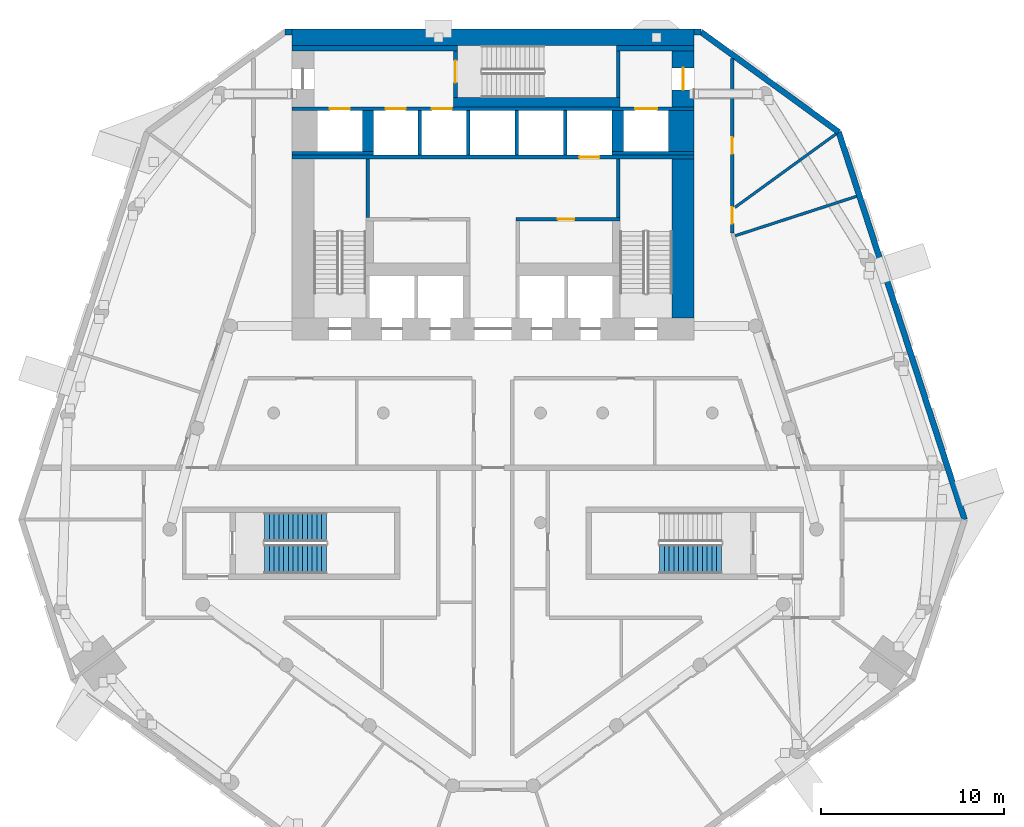
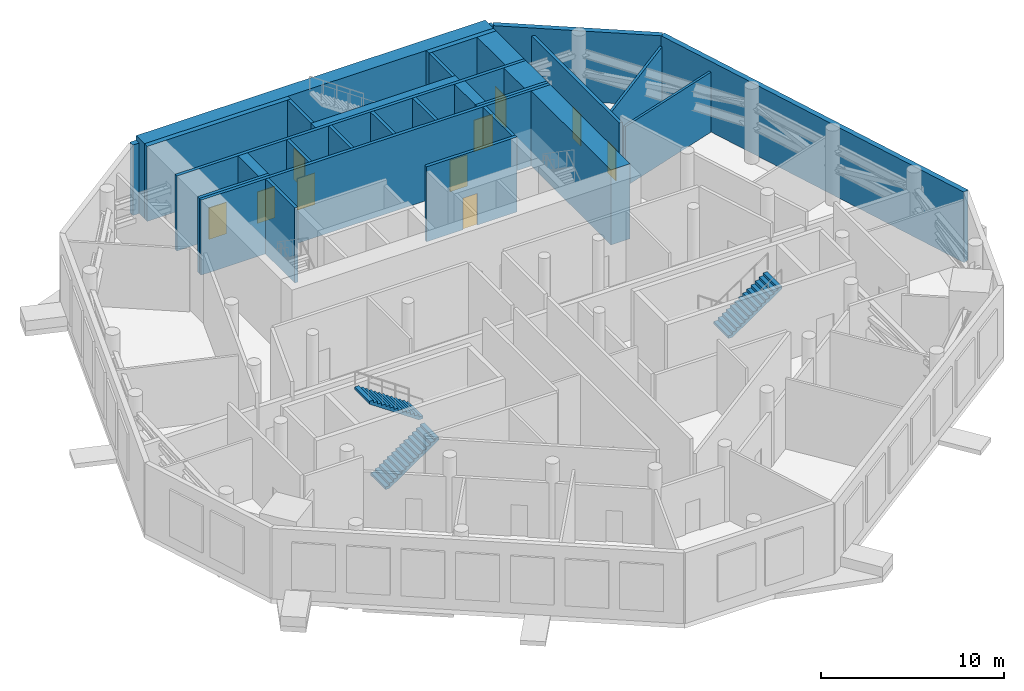
# One storey, part 9 of 15: 29 walls, 10 doors, 3 stair flights, 10 openings, 2 elements without a shape of their own.
"""IFC4 building model written with IfcOpenShell, lengths in metres."""

from ifc_helpers import new_model, si_unit, direction, frame, frame_2d, origin, place, context, subcontext, project, spatial, polyline, rectangle, outline, extrude, material, layer, layer_set, type_object, element, fill, aggregate, save


model = new_model("IFC4")

# Units and contexts
model_context = context("Model", 3, precision=1e-05, world=origin(), true_north=direction((0.0, 1.0)))
body_context = subcontext(model_context, "Body", "Model", "MODEL_VIEW")
ifc_project = project(units=[si_unit("LENGTHUNIT", "METRE"), si_unit("AREAUNIT", "SQUARE_METRE"), si_unit("VOLUMEUNIT", "CUBIC_METRE"), si_unit("PLANEANGLEUNIT", "RADIAN"), si_unit("MASSUNIT", "GRAM", prefix="KILO")], contexts=[model_context])

# Site, building, storey
site_placement = place(None, origin())
site = spatial("IfcSite", under=ifc_project, at=site_placement, CompositionType="ELEMENT")
building_placement = place(site_placement, origin())
building = spatial("IfcBuilding", under=site, at=building_placement, Name="White Candle Pilgrim Tower", CompositionType="ELEMENT")
storey_placement = place(building_placement, frame((0.0, 0.0, 85.800048828125)))
storey = spatial("IfcBuildingStorey", under=building, at=storey_placement, Name="L18", CompositionType="ELEMENT", Elevation=85.800048828125)

# Wall, opening, door
ifc_material_1 = material(Name="Concrete C70/85", Category="concrete")
ifc_layer_1 = layer(ifc_material_1, 1.199951171875)
ifc_layer_set_1 = layer_set([ifc_layer_1], Name="Core wall 1200 mm Concrete C70/85")
wall_type_1 = type_object("IfcWallType", Name="Core wall 1200 mm Concrete C70/85", PredefinedType="SHEAR", material=ifc_layer_set_1)
wall_1_placement = place(storey_placement, frame((80.39990234375, 83.75, 0.0), z_axis=(0.0, 0.0, 1.0), x_axis=(0.0, 1.0, 0.0)))
wall_1 = element("IfcWall", 1, at=wall_1_placement, inside=storey, type_object=wall_type_1, Name="WL-L18-C44", PredefinedType="SHEAR", context=body_context, shape_type="SweptSolid", body=[
    extrude(rectangle(XDim=3.050048828125, YDim=1.199951171875, at=frame_2d((1.52490234375, 0.0))), origin(), (0.0, 0.0, 1.0), 5.0),
])
opening_1_placement = place(wall_1_placement, frame((0.925048828125, 0.0, 0.0)))
opening_1 = element("IfcOpeningElement", 2, at=opening_1_placement, cuts=wall_1, Name="Opening L18-006", PredefinedType="OPENING", context=body_context, shape_type="SweptSolid", body=[
    extrude(rectangle(XDim=1.199951171875, YDim=2.10009765625, at=frame_2d((0.60009765625, 1.050048828125))), frame((0.0, 0.60986328125, 0.0), z_axis=(0.0, -1.0, 0.0), x_axis=(1.0, 0.0, 0.0)), (0.0, 0.0, 1.0), 1.219970703125),
])
ifc_material_2 = material(Name="Steel door leaf", Category="steel")
door_type_1 = type_object("IfcDoorType", Name="Fire door 1200 x 2100 EI 30", OperationType="NOTDEFINED", PredefinedType="DOOR", material=ifc_material_2)
door_1_placement = place(opening_1_placement, origin())
door_1 = element("IfcDoor", 3, at=door_1_placement, inside=storey, type_object=door_type_1, Name="Door L18-006", OperationType="SINGLE_SWING_RIGHT", OverallHeight=2.10009765625, OverallWidth=1.199951171875, PredefinedType="DOOR", context=body_context, shape_type="SweptSolid", body=[
    extrude(rectangle(XDim=1.199951171875, YDim=2.10009765625, at=frame_2d((0.60009765625, 1.050048828125))), frame((0.0, 0.02490234375, 0.0), z_axis=(0.0, -1.0, 0.0), x_axis=(1.0, 0.0, 0.0)), (0.0, 0.0, 1.0), 0.050048828125),
])
fill(opening_1, door_1)

# Walls
ifc_layer_2 = layer(ifc_material_1, 1.39990234375)
ifc_layer_set_2 = layer_set([ifc_layer_2], Name="Core wall 1400 mm Concrete C70/85")
wall_type_2 = type_object("IfcWallType", Name="Core wall 1400 mm Concrete C70/85", PredefinedType="SHEAR", material=ifc_layer_set_2)
wall_2_placement = place(storey_placement, frame((80.300048828125, 81.300048828125, 0.0), z_axis=(0.0, 0.0, 1.0), x_axis=(0.0, 1.0, 0.0)))
element("IfcWall", 4, at=wall_2_placement, inside=storey, type_object=wall_type_2, Name="WL-L18-C40", PredefinedType="SHEAR", context=body_context, shape_type="SweptSolid", body=[
    extrude(rectangle(XDim=2.25, YDim=1.39990234375, at=frame_2d((1.125, 0.0))), origin(), (0.0, 0.0, 1.0), 5.0),
])
ifc_layer_3 = layer(ifc_material_1, 0.199951171875)
ifc_layer_set_3 = layer_set([ifc_layer_3], Name="Core wall 200 mm Concrete C70/85")
wall_type_3 = type_object("IfcWallType", Name="Core wall 200 mm Concrete C70/85", PredefinedType="SHEAR", material=ifc_layer_set_3)
wall_3_placement = place(storey_placement, frame((59.0, 81.199951171875, 0.0), z_axis=(0.0, 0.0, 1.0), x_axis=(1.0, 0.0, 0.0)))
element("IfcWall", 5, at=wall_3_placement, inside=storey, type_object=wall_type_3, Name="WL-L18-C31", PredefinedType="SHEAR", context=body_context, shape_type="SweptSolid", body=[
    extrude(rectangle(XDim=4.449951171875, YDim=0.199951171875, at=frame_2d((2.22509765625, 0.0))), origin(), (0.0, 0.0, 1.0), 5.0),
])
wall_4_placement = place(storey_placement, frame((76.5, 81.199951171875, 0.0), z_axis=(0.0, 0.0, 1.0), x_axis=(1.0, 0.0, 0.0)))
element("IfcWall", 6, at=wall_4_placement, inside=storey, type_object=wall_type_3, Name="WL-L18-C36", PredefinedType="SHEAR", context=body_context, shape_type="SweptSolid", body=[
    extrude(rectangle(XDim=4.5, YDim=0.199951171875, at=frame_2d((2.25, 0.0))), origin(), (0.0, 0.0, 1.0), 5.0),
])

# Wall, openings, doors
wall_5_placement = place(storey_placement, frame((59.0, 83.64990234375, 0.0), z_axis=(0.0, 0.0, 1.0), x_axis=(1.0, 0.0, 0.0)))
wall_5 = element("IfcWall", 7, at=wall_5_placement, inside=storey, type_object=wall_type_3, Name="WL-L18-C41", PredefinedType="SHEAR", context=body_context, shape_type="SweptSolid", body=[
    extrude(rectangle(XDim=22.0, YDim=0.199951171875, at=frame_2d((11.0, 0.0))), origin(), (0.0, 0.0, 1.0), 5.0),
])
opening_2_placement = place(wall_5_placement, frame((5.125, 0.0, 0.0)))
opening_2 = element("IfcOpeningElement", 8, at=opening_2_placement, cuts=wall_5, Name="Opening L18-011", PredefinedType="OPENING", context=body_context, shape_type="SweptSolid", body=[
    extrude(rectangle(XDim=1.10009765625, YDim=2.10009765625, at=frame_2d((0.550048828125, 1.050048828125))), frame((0.0, 0.10986328125, 0.0), z_axis=(0.0, -1.0, 0.0), x_axis=(1.0, 0.0, 0.0)), (0.0, 0.0, 1.0), 0.219970703125),
])
opening_3_placement = place(wall_5_placement, frame((7.64990234375, 0.0, 0.0)))
opening_3 = element("IfcOpeningElement", 9, at=opening_3_placement, cuts=wall_5, Name="Opening L18-012", PredefinedType="OPENING", context=body_context, shape_type="SweptSolid", body=[
    extrude(rectangle(XDim=1.10009765625, YDim=2.10009765625, at=frame_2d((0.550048828125, 1.050048828125))), frame((0.0, 0.10986328125, 0.0), z_axis=(0.0, -1.0, 0.0), x_axis=(1.0, 0.0, 0.0)), (0.0, 0.0, 1.0), 0.219970703125),
])
opening_4_placement = place(wall_5_placement, frame((18.77490234375, 0.0, 0.0)))
opening_4 = element("IfcOpeningElement", 10, at=opening_4_placement, cuts=wall_5, Name="Opening L18-018", PredefinedType="OPENING", context=body_context, shape_type="SweptSolid", body=[
    extrude(rectangle(XDim=1.199951171875, YDim=2.10009765625, at=frame_2d((0.60009765625, 1.050048828125))), frame((0.0, 0.10986328125, 0.0), z_axis=(0.0, -1.0, 0.0), x_axis=(1.0, 0.0, 0.0)), (0.0, 0.0, 1.0), 0.219970703125),
])
opening_5_placement = place(wall_5_placement, frame((2.074951171875, 0.0, 0.0)))
opening_5 = element("IfcOpeningElement", 11, at=opening_5_placement, cuts=wall_5, Name="Opening L18-019", PredefinedType="OPENING", context=body_context, shape_type="SweptSolid", body=[
    extrude(rectangle(XDim=1.10009765625, YDim=2.10009765625, at=frame_2d((0.550048828125, 1.050048828125))), frame((0.0, 0.10986328125, 0.0), z_axis=(0.0, -1.0, 0.0), x_axis=(1.0, 0.0, 0.0)), (0.0, 0.0, 1.0), 0.219970703125),
])
ifc_material_3 = material(Name="Stainless steel", Category="steel")
door_type_2 = type_object("IfcDoorType", Name="Lift landing door 1100 x 2100 EI 60", OperationType="DOUBLE_DOOR_SLIDING", PredefinedType="DOOR", material=ifc_material_3)
door_2_placement = place(opening_2_placement, origin())
door_2 = element("IfcDoor", 12, at=door_2_placement, inside=storey, type_object=door_type_2, Name="Door L18-011", OperationType="DOUBLE_DOOR_SLIDING", OverallHeight=2.10009765625, OverallWidth=1.10009765625, PredefinedType="DOOR", context=body_context, shape_type="SweptSolid", body=[
    extrude(rectangle(XDim=1.10009765625, YDim=2.10009765625, at=frame_2d((0.550048828125, 1.050048828125))), frame((0.0, 0.02490234375, 0.0), z_axis=(0.0, -1.0, 0.0), x_axis=(1.0, 0.0, 0.0)), (0.0, 0.0, 1.0), 0.050048828125),
])
fill(opening_2, door_2)
door_3_placement = place(opening_3_placement, origin())
door_3 = element("IfcDoor", 13, at=door_3_placement, inside=storey, type_object=door_type_2, Name="Door L18-012", OperationType="DOUBLE_DOOR_SLIDING", OverallHeight=2.10009765625, OverallWidth=1.10009765625, PredefinedType="DOOR", context=body_context, shape_type="SweptSolid", body=[
    extrude(rectangle(XDim=1.10009765625, YDim=2.10009765625, at=frame_2d((0.550048828125, 1.050048828125))), frame((0.0, 0.02490234375, 0.0), z_axis=(0.0, -1.0, 0.0), x_axis=(1.0, 0.0, 0.0)), (0.0, 0.0, 1.0), 0.050048828125),
])
fill(opening_3, door_3)
door_4_placement = place(opening_5_placement, origin())
door_4 = element("IfcDoor", 14, at=door_4_placement, inside=storey, type_object=door_type_2, Name="Door L18-019", OperationType="DOUBLE_DOOR_SLIDING", OverallHeight=2.10009765625, OverallWidth=1.10009765625, PredefinedType="DOOR", context=body_context, shape_type="SweptSolid", body=[
    extrude(rectangle(XDim=1.10009765625, YDim=2.10009765625, at=frame_2d((0.550048828125, 1.050048828125))), frame((0.0, 0.02490234375, 0.0), z_axis=(0.0, -1.0, 0.0), x_axis=(1.0, 0.0, 0.0)), (0.0, 0.0, 1.0), 0.050048828125),
])
fill(opening_5, door_4)
door_type_3 = type_object("IfcDoorType", Name="Lift landing door 1200 x 2100 E 60", OperationType="DOUBLE_DOOR_SLIDING", PredefinedType="DOOR", material=ifc_material_3)
door_5_placement = place(opening_4_placement, origin())
door_5 = element("IfcDoor", 15, at=door_5_placement, inside=storey, type_object=door_type_3, Name="Door L18-018", OperationType="DOUBLE_DOOR_SLIDING", OverallHeight=2.10009765625, OverallWidth=1.199951171875, PredefinedType="DOOR", context=body_context, shape_type="SweptSolid", body=[
    extrude(rectangle(XDim=1.199951171875, YDim=2.10009765625, at=frame_2d((0.60009765625, 1.050048828125))), frame((0.0, 0.02490234375, 0.0), z_axis=(0.0, -1.0, 0.0), x_axis=(1.0, 0.0, 0.0)), (0.0, 0.0, 1.0), 0.050048828125),
])
fill(opening_4, door_5)

ifc_material_4 = material(Name="Gypsum board on steel studs", Category="steel")
ifc_layer_4 = layer(ifc_material_4, 0.199951171875)
ifc_layer_set_4 = layer_set([ifc_layer_4], Name="Corridor wall 200 mm EI 45")
wall_type_4 = type_object("IfcWallType", Name="Corridor wall 200 mm EI 45", PredefinedType="PARTITIONING", material=ifc_layer_set_4)
wall_6_placement = place(storey_placement, frame((83.10009765625, 86.396240234375, 0.0), z_axis=(0.0, 0.0, 1.0), x_axis=(0.0, -1.0, 0.0)))
wall_6 = element("IfcWall", 16, at=wall_6_placement, inside=storey, type_object=wall_type_4, Name="WL-L18-P004", PredefinedType="PARTITIONING", context=body_context, shape_type="SweptSolid", body=[
    extrude(rectangle(XDim=9.547119140625, YDim=0.199951171875, at=frame_2d((4.7734375, 0.0))), origin(), (0.0, 0.0, 1.0), 4.199951171875),
])
opening_6_placement = place(wall_6_placement, frame((4.323486328125, 0.0, 0.0)))
opening_6 = element("IfcOpeningElement", 17, at=opening_6_placement, cuts=wall_6, Name="Opening L18-122", PredefinedType="OPENING", context=body_context, shape_type="SweptSolid", body=[
    extrude(rectangle(XDim=0.89990234375, YDim=2.10009765625, at=frame_2d((0.449951171875, 1.050048828125))), frame((0.0, 0.10986328125, 0.0), z_axis=(0.0, -1.0, 0.0), x_axis=(1.0, 0.0, 0.0)), (0.0, 0.0, 1.0), 0.219970703125),
])
opening_7_placement = place(wall_6_placement, frame((8.138671875, 0.0, 0.0)))
opening_7 = element("IfcOpeningElement", 18, at=opening_7_placement, cuts=wall_6, Name="Opening L18-123", PredefinedType="OPENING", context=body_context, shape_type="SweptSolid", body=[
    extrude(rectangle(XDim=0.89990234375, YDim=2.10009765625, at=frame_2d((0.449951171875, 1.050048828125))), frame((0.0, 0.10986328125, 0.0), z_axis=(0.0, -1.0, 0.0), x_axis=(1.0, 0.0, 0.0)), (0.0, 0.0, 1.0), 0.219970703125),
])
door_type_4 = type_object("IfcDoorType", Name="Fire door 900 x 2100 EI 30", OperationType="NOTDEFINED", PredefinedType="DOOR", material=ifc_material_2)
door_6_placement = place(opening_6_placement, origin())
door_6 = element("IfcDoor", 19, at=door_6_placement, inside=storey, type_object=door_type_4, Name="Door L18-122", OperationType="SINGLE_SWING_RIGHT", OverallHeight=2.10009765625, OverallWidth=0.89990234375, PredefinedType="DOOR", context=body_context, shape_type="SweptSolid", body=[
    extrude(rectangle(XDim=0.89990234375, YDim=2.10009765625, at=frame_2d((0.449951171875, 1.050048828125))), frame((0.0, 0.02490234375, 0.0), z_axis=(0.0, -1.0, 0.0), x_axis=(1.0, 0.0, 0.0)), (0.0, 0.0, 1.0), 0.050048828125),
])
fill(opening_6, door_6)
door_7_placement = place(opening_7_placement, frame((0.89990234375, 0.0, 0.0), z_axis=(0.0, 0.0, 1.0), x_axis=(-1.0, 0.0, 0.0)))
door_7 = element("IfcDoor", 20, at=door_7_placement, inside=storey, type_object=door_type_4, Name="Door L18-123", OperationType="SINGLE_SWING_RIGHT", OverallHeight=2.10009765625, OverallWidth=0.89990234375, PredefinedType="DOOR", context=body_context, shape_type="SweptSolid", body=[
    extrude(rectangle(XDim=0.89990234375, YDim=2.10009765625, at=frame_2d((0.449951171875, 1.050048828125))), frame((0.0, 0.02490234375, 0.0), z_axis=(0.0, -1.0, 0.0), x_axis=(1.0, 0.0, 0.0)), (0.0, 0.0, 1.0), 0.050048828125),
])
fill(opening_7, door_7)

# Walls
ifc_material_5 = material(Name="Precast concrete C40/50", Category="concrete")
ifc_layer_5 = layer(ifc_material_5, 0.320068359375)
ifc_layer_set_5 = layer_set([ifc_layer_5], Name="Facade wall EW2 precast concrete C40/50 plant wall behind louvres")
wall_type_5 = type_object("IfcWallType", Name="Facade wall EW2 precast concrete C40/50 plant wall behind louvres", PredefinedType="SOLIDWALL", material=ifc_layer_set_5)
wall_7_placement = place(storey_placement, frame((95.803955078125, 61.163818359375, 0.0), z_axis=(0.0, 0.0, 1.0), x_axis=(-0.309015264684, 0.951057078304, 0.0)))
element("IfcWall", 21, at=wall_7_placement, inside=storey, type_object=wall_type_5, Name="Facade wall L18 ENE", PredefinedType="SOLIDWALL", context=body_context, shape_type="SweptSolid", body=[
    extrude(rectangle(XDim=22.2978515625, YDim=0.320068359375, at=frame_2d((11.14892578125, 0.0))), origin(), (0.0, 0.0, 1.0), 4.699951171875),
])
wall_8_placement = place(storey_placement, frame((88.91357421875, 82.370361328125, 0.0), z_axis=(0.0, 0.0, 1.0), x_axis=(-0.809021884019, 0.587778522216, 0.0)))
element("IfcWall", 22, at=wall_8_placement, inside=storey, type_object=wall_type_5, Name="Facade wall L18 NE chamfer", PredefinedType="SOLIDWALL", context=body_context, shape_type="SweptSolid", body=[
    extrude(rectangle(XDim=9.3056640625, YDim=0.320068359375, at=frame_2d((4.65283203125, 0.0))), origin(), (0.0, 0.0, 1.0), 4.699951171875),
])
for number, where, z_axis, x_axis, name in (
    (23, (81.385009765625, 87.840087890625, 0.0), (0.0, 0.0, 1.0), (-1.0, 0.0, 0.0), "Facade wall L18 N"),
    (24, (59.0, 87.840087890625, 0.0), (0.0, 0.0, 1.0), (-1.0, 0.0, 0.0), "Facade wall L18 N"),
):
    element("IfcWall", number, at=place(storey_placement, frame(where, z_axis=z_axis, x_axis=x_axis)), inside=storey, type_object=wall_type_5, Name=name, PredefinedType="SOLIDWALL", context=body_context, shape_type="SweptSolid", body=[
        extrude(rectangle(XDim=0.385009765625, YDim=0.320068359375, at=frame_2d((0.1923828125, 0.0))), origin(), (0.0, 0.0, 1.0), 4.699951171875),
    ])
ifc_layer_6 = layer(ifc_material_4, 0.14990234375)
ifc_layer_set_6 = layer_set([ifc_layer_6], Name="Partition 150 mm EI 60")
wall_type_6 = type_object("IfcWallType", Name="Partition 150 mm EI 60", PredefinedType="PARTITIONING", material=ifc_layer_set_6)
wall_9_placement = place(storey_placement, frame((88.77734375, 82.271484375, 0.0), z_axis=(0.0, 0.0, 1.0), x_axis=(-0.809006128226, -0.587800207973, 0.0)))
element("IfcWall", 25, at=wall_9_placement, inside=storey, type_object=wall_type_6, Name="WL-L18-P034", PredefinedType="PARTITIONING", context=body_context, shape_type="SweptSolid", body=[
    extrude(rectangle(XDim=6.839599609375, YDim=0.14990234375, at=frame_2d((3.419921875, 0.0))), origin(), (0.0, 0.0, 1.0), 4.0),
])
wall_10_placement = place(storey_placement, frame((89.888916015625, 78.8505859375, 0.0), z_axis=(0.0, 0.0, 1.0), x_axis=(-0.951055400562, -0.309020428229, 0.0)))
element("IfcWall", 26, at=wall_10_placement, inside=storey, type_object=wall_type_6, Name="WL-L18-P041", PredefinedType="PARTITIONING", context=body_context, shape_type="SweptSolid", body=[
    extrude(rectangle(XDim=6.97998046875, YDim=0.14990234375, at=frame_2d((3.489990234375, 0.0))), origin(), (0.0, 0.0, 1.0), 4.0),
])
ifc_layer_7 = layer(ifc_material_1, 0.199951171875)
ifc_layer_set_7 = layer_set([ifc_layer_7], Name="Shaft wall 200 mm Concrete C70/85")
wall_type_7 = type_object("IfcWallType", Name="Shaft wall 200 mm Concrete C70/85", PredefinedType="SHEAR", material=ifc_layer_set_7)
for number, where, z_axis, x_axis, name in (
    (27, (66.0, 81.10009765625, 0.0), (0.0, 0.0, 1.0), (0.0, 1.0, 0.0), "WL-L18-C32"),
    (28, (68.64990234375, 81.10009765625, 0.0), (0.0, 0.0, 1.0), (0.0, 1.0, 0.0), "WL-L18-C33"),
    (29, (71.300048828125, 81.10009765625, 0.0), (0.0, 0.0, 1.0), (0.0, 1.0, 0.0), "WL-L18-C34"),
    (30, (73.949951171875, 81.10009765625, 0.0), (0.0, 0.0, 1.0), (0.0, 1.0, 0.0), "WL-L18-C35"),
):
    element("IfcWall", number, at=place(storey_placement, frame(where, z_axis=z_axis, x_axis=x_axis)), inside=storey, type_object=wall_type_7, Name=name, PredefinedType="SHEAR", context=body_context, shape_type="SweptSolid", body=[
        extrude(rectangle(XDim=2.449951171875, YDim=0.199951171875, at=frame_2d((1.22509765625, 0.0))), origin(), (0.0, 0.0, 1.0), 5.0),
    ])
ifc_layer_8 = layer(ifc_material_1, 0.60009765625)
ifc_layer_set_8 = layer_set([ifc_layer_8], Name="Shaft wall 600 mm Concrete C70/85")
wall_type_8 = type_object("IfcWallType", Name="Shaft wall 600 mm Concrete C70/85", PredefinedType="SHEAR", material=ifc_layer_set_8)
wall_11_placement = place(storey_placement, frame((63.14990234375, 81.300048828125, 0.0), z_axis=(0.0, 0.0, 1.0), x_axis=(0.0, 1.0, 0.0)))
element("IfcWall", 31, at=wall_11_placement, inside=storey, type_object=wall_type_8, Name="WL-L18-C38", PredefinedType="SHEAR", context=body_context, shape_type="SweptSolid", body=[
    extrude(rectangle(XDim=2.25, YDim=0.60009765625, at=frame_2d((1.125, 0.0))), origin(), (0.0, 0.0, 1.0), 5.0),
])
ifc_layer_9 = layer(ifc_material_1, 0.64990234375)
ifc_layer_set_9 = layer_set([ifc_layer_9], Name="Shaft wall 650 mm Concrete C70/85")
wall_type_9 = type_object("IfcWallType", Name="Shaft wall 650 mm Concrete C70/85", PredefinedType="SHEAR", material=ifc_layer_set_9)
wall_12_placement = place(storey_placement, frame((76.824951171875, 81.300048828125, 0.0), z_axis=(0.0, 0.0, 1.0), x_axis=(0.0, 1.0, 0.0)))
element("IfcWall", 32, at=wall_12_placement, inside=storey, type_object=wall_type_9, Name="WL-L18-C39", PredefinedType="SHEAR", context=body_context, shape_type="SweptSolid", body=[
    extrude(rectangle(XDim=2.25, YDim=0.64990234375, at=frame_2d((1.125, 0.0))), origin(), (0.0, 0.0, 1.0), 5.0),
])
ifc_layer_10 = layer(ifc_material_1, 1.199951171875)
ifc_layer_set_10 = layer_set([ifc_layer_10], Name="Stair shaft wall 1200 mm Concrete C70/85")
wall_type_10 = type_object("IfcWallType", Name="Stair shaft wall 1200 mm Concrete C70/85", PredefinedType="SHEAR", material=ifc_layer_set_10)
wall_13_placement = place(storey_placement, frame((80.39990234375, 72.199951171875, 0.0), z_axis=(0.0, 0.0, 1.0), x_axis=(0.0, 1.0, 0.0)))
element("IfcWall", 33, at=wall_13_placement, inside=storey, type_object=wall_type_10, Name="WL-L18-C19", PredefinedType="SHEAR", context=body_context, shape_type="SweptSolid", body=[
    extrude(rectangle(XDim=8.699951171875, YDim=1.199951171875, at=frame_2d((4.35009765625, 0.0))), origin(), (0.0, 0.0, 1.0), 5.0),
])

# Wall, opening, door
ifc_layer_11 = layer(ifc_material_1, 0.199951171875)
ifc_layer_set_11 = layer_set([ifc_layer_11], Name="Stair shaft wall 200 mm Concrete C70/85")
wall_type_11 = type_object("IfcWallType", Name="Stair shaft wall 200 mm Concrete C70/85", PredefinedType="SHEAR", material=ifc_layer_set_11)
wall_14_placement = place(storey_placement, frame((71.25, 77.60009765625, 0.0), z_axis=(0.0, 0.0, 1.0), x_axis=(1.0, 0.0, 0.0)))
wall_14 = element("IfcWall", 34, at=wall_14_placement, inside=storey, type_object=wall_type_11, Name="WL-L18-C27", PredefinedType="SHEAR", context=body_context, shape_type="SweptSolid", body=[
    extrude(rectangle(XDim=5.699951171875, YDim=0.199951171875, at=frame_2d((2.85009765625, 0.0))), origin(), (0.0, 0.0, 1.0), 5.0),
])
opening_8_placement = place(wall_14_placement, frame((2.300048828125, 0.0, 0.0)))
opening_8 = element("IfcOpeningElement", 35, at=opening_8_placement, cuts=wall_14, Name="Opening L18-021", PredefinedType="OPENING", context=body_context, shape_type="SweptSolid", body=[
    extrude(rectangle(XDim=0.89990234375, YDim=2.10009765625, at=frame_2d((0.449951171875, 1.050048828125))), frame((0.0, 0.10986328125, 0.0), z_axis=(0.0, -1.0, 0.0), x_axis=(1.0, 0.0, 0.0)), (0.0, 0.0, 1.0), 0.219970703125),
])
door_8_placement = place(opening_8_placement, origin())
door_8 = element("IfcDoor", 36, at=door_8_placement, inside=storey, type_object=door_type_4, Name="Door L18-021", OperationType="SINGLE_SWING_LEFT", OverallHeight=2.10009765625, OverallWidth=0.89990234375, PredefinedType="DOOR", context=body_context, shape_type="SweptSolid", body=[
    extrude(rectangle(XDim=0.89990234375, YDim=2.10009765625, at=frame_2d((0.449951171875, 1.050048828125))), frame((0.0, 0.02490234375, 0.0), z_axis=(0.0, -1.0, 0.0), x_axis=(1.0, 0.0, 0.0)), (0.0, 0.0, 1.0), 0.050048828125),
])
fill(opening_8, door_8)

# Walls
for number, where, z_axis, x_axis, name in (
    (37, (63.14990234375, 77.699951171875, 0.0), (0.0, 0.0, 1.0), (0.0, 1.0, 0.0), "WL-L18-C28"),
    (38, (76.85009765625, 77.699951171875, 0.0), (0.0, 0.0, 1.0), (0.0, 1.0, 0.0), "WL-L18-C29"),
):
    element("IfcWall", number, at=place(storey_placement, frame(where, z_axis=z_axis, x_axis=x_axis)), inside=storey, type_object=wall_type_11, Name=name, PredefinedType="SHEAR", context=body_context, shape_type="SweptSolid", body=[
        extrude(rectangle(XDim=3.199951171875, YDim=0.199951171875, at=frame_2d((1.60009765625, 0.0))), origin(), (0.0, 0.0, 1.0), 5.0),
    ])

# Wall, opening, door
wall_15_placement = place(storey_placement, frame((59.0, 81.0, 0.0), z_axis=(0.0, 0.0, 1.0), x_axis=(1.0, 0.0, 0.0)))
wall_15 = element("IfcWall", 39, at=wall_15_placement, inside=storey, type_object=wall_type_11, Name="WL-L18-C30", PredefinedType="SHEAR", context=body_context, shape_type="SweptSolid", body=[
    extrude(rectangle(XDim=22.0, YDim=0.199951171875, at=frame_2d((11.0, 0.0))), origin(), (0.0, 0.0, 1.0), 5.0),
])
opening_9_placement = place(wall_15_placement, frame((15.72509765625, 0.0, 0.0)))
opening_9 = element("IfcOpeningElement", 40, at=opening_9_placement, cuts=wall_15, Name="Opening L18-013", PredefinedType="OPENING", context=body_context, shape_type="SweptSolid", body=[
    extrude(rectangle(XDim=1.10009765625, YDim=2.10009765625, at=frame_2d((0.550048828125, 1.050048828125))), frame((0.0, 0.10986328125, 0.0), z_axis=(0.0, -1.0, 0.0), x_axis=(1.0, 0.0, 0.0)), (0.0, 0.0, 1.0), 0.219970703125),
])
door_type_5 = type_object("IfcDoorType", Name="Lift landing door 1100 x 2100 E 60", OperationType="DOUBLE_DOOR_SLIDING", PredefinedType="DOOR", material=ifc_material_3)
door_9_placement = place(opening_9_placement, origin())
door_9 = element("IfcDoor", 41, at=door_9_placement, inside=storey, type_object=door_type_5, Name="Door L18-013", OperationType="DOUBLE_DOOR_SLIDING", OverallHeight=2.10009765625, OverallWidth=1.10009765625, PredefinedType="DOOR", context=body_context, shape_type="SweptSolid", body=[
    extrude(rectangle(XDim=1.10009765625, YDim=2.10009765625, at=frame_2d((0.550048828125, 1.050048828125))), frame((0.0, 0.02490234375, 0.0), z_axis=(0.0, -1.0, 0.0), x_axis=(1.0, 0.0, 0.0)), (0.0, 0.0, 1.0), 0.050048828125),
])
fill(opening_9, door_9)

wall_16_placement = place(storey_placement, frame((67.949951171875, 84.25, 0.0), z_axis=(0.0, 0.0, 1.0), x_axis=(0.0, 1.0, 0.0)))
wall_16 = element("IfcWall", 42, at=wall_16_placement, inside=storey, type_object=wall_type_11, Name="WL-L18-C45", PredefinedType="SHEAR", context=body_context, shape_type="SweptSolid", body=[
    extrude(rectangle(XDim=2.550048828125, YDim=0.199951171875, at=frame_2d((1.27490234375, 0.0))), origin(), (0.0, 0.0, 1.0), 5.0),
])
opening_10_placement = place(wall_16_placement, frame((0.824951171875, 0.0, 0.0)))
opening_10 = element("IfcOpeningElement", 43, at=opening_10_placement, cuts=wall_16, Name="Opening L18-003", PredefinedType="OPENING", context=body_context, shape_type="SweptSolid", body=[
    extrude(rectangle(XDim=1.199951171875, YDim=2.10009765625, at=frame_2d((0.60009765625, 1.050048828125))), frame((0.0, 0.10986328125, 0.0), z_axis=(0.0, -1.0, 0.0), x_axis=(1.0, 0.0, 0.0)), (0.0, 0.0, 1.0), 0.219970703125),
])
door_type_6 = type_object("IfcDoorType", Name="Fire door 1200 x 2100 EI 60", OperationType="NOTDEFINED", PredefinedType="DOOR", material=ifc_material_2)
door_10_placement = place(opening_10_placement, frame((1.199951171875, 0.0, 0.0), z_axis=(0.0, 0.0, 1.0), x_axis=(-1.0, 0.0, 0.0)))
door_10 = element("IfcDoor", 44, at=door_10_placement, inside=storey, type_object=door_type_6, Name="Door L18-003", OperationType="SINGLE_SWING_RIGHT", OverallHeight=2.10009765625, OverallWidth=1.199951171875, PredefinedType="DOOR", context=body_context, shape_type="SweptSolid", body=[
    extrude(rectangle(XDim=1.199951171875, YDim=2.10009765625, at=frame_2d((0.60009765625, 1.050048828125))), frame((0.0, 0.02490234375, 0.0), z_axis=(0.0, -1.0, 0.0), x_axis=(1.0, 0.0, 0.0)), (0.0, 0.0, 1.0), 0.050048828125),
])
fill(opening_10, door_10)

# Walls
wall_17_placement = place(storey_placement, frame((76.85009765625, 84.25, 0.0), z_axis=(0.0, 0.0, 1.0), x_axis=(0.0, 1.0, 0.0)))
element("IfcWall", 45, at=wall_17_placement, inside=storey, type_object=wall_type_11, Name="WL-L18-C46", PredefinedType="SHEAR", context=body_context, shape_type="SweptSolid", body=[
    extrude(rectangle(XDim=2.550048828125, YDim=0.199951171875, at=frame_2d((1.27490234375, 0.0))), origin(), (0.0, 0.0, 1.0), 5.0),
])
ifc_layer_12 = layer(ifc_material_1, 0.300048828125)
ifc_layer_set_12 = layer_set([ifc_layer_12], Name="Stair shaft wall 300 mm Concrete C70/85")
wall_type_12 = type_object("IfcWallType", Name="Stair shaft wall 300 mm Concrete C70/85", PredefinedType="SHEAR", material=ifc_layer_set_12)
wall_18_placement = place(storey_placement, frame((59.0, 86.949951171875, 0.0), z_axis=(0.0, 0.0, 1.0), x_axis=(1.0, 0.0, 0.0)))
element("IfcWall", 46, at=wall_18_placement, inside=storey, type_object=wall_type_12, Name="WL-L18-C47", PredefinedType="SHEAR", context=body_context, shape_type="SweptSolid", body=[
    extrude(rectangle(XDim=9.050048828125, YDim=0.300048828125, at=frame_2d((4.52490234375, 0.0))), origin(), (0.0, 0.0, 1.0), 5.0),
])
wall_19_placement = place(storey_placement, frame((76.75, 86.949951171875, 0.0), z_axis=(0.0, 0.0, 1.0), x_axis=(1.0, 0.0, 0.0)))
element("IfcWall", 47, at=wall_19_placement, inside=storey, type_object=wall_type_12, Name="WL-L18-C48", PredefinedType="SHEAR", context=body_context, shape_type="SweptSolid", body=[
    extrude(rectangle(XDim=4.25, YDim=0.300048828125, at=frame_2d((2.125, 0.0))), origin(), (0.0, 0.0, 1.0), 5.0),
])
ifc_layer_13 = layer(ifc_material_1, 0.5)
ifc_layer_set_13 = layer_set([ifc_layer_13], Name="Stair shaft wall 500 mm Concrete C70/85")
wall_type_13 = type_object("IfcWallType", Name="Stair shaft wall 500 mm Concrete C70/85", PredefinedType="SHEAR", material=ifc_layer_set_13)
wall_20_placement = place(storey_placement, frame((67.85009765625, 84.0, 0.0), z_axis=(0.0, 0.0, 1.0), x_axis=(1.0, 0.0, 0.0)))
element("IfcWall", 48, at=wall_20_placement, inside=storey, type_object=wall_type_13, Name="WL-L18-C43", PredefinedType="SHEAR", context=body_context, shape_type="SweptSolid", body=[
    extrude(rectangle(XDim=9.099853515625, YDim=0.5, at=frame_2d((4.5498046875, 0.0))), origin(), (0.0, 0.0, 1.0), 5.0),
])
ifc_layer_14 = layer(ifc_material_1, 0.89990234375)
ifc_layer_set_14 = layer_set([ifc_layer_14], Name="Stair shaft wall 900 mm Concrete C70/85")
wall_type_14 = type_object("IfcWallType", Name="Stair shaft wall 900 mm Concrete C70/85", PredefinedType="SHEAR", material=ifc_layer_set_14)
wall_21_placement = place(storey_placement, frame((59.0, 87.550048828125, 0.0), z_axis=(0.0, 0.0, 1.0), x_axis=(1.0, 0.0, 0.0)))
element("IfcWall", 49, at=wall_21_placement, inside=storey, type_object=wall_type_14, Name="WL-L18-C49", PredefinedType="SHEAR", context=body_context, shape_type="SweptSolid", body=[
    extrude(rectangle(XDim=22.0, YDim=0.89990234375, at=frame_2d((11.0, 0.0))), origin(), (0.0, 0.0, 1.0), 5.0),
])

# Stair, stair flight
ifc_material_6 = material(Name="Concrete C40/50", Category="concrete")
stair_type_1 = type_object("IfcStairType", Name="Exit stair 4 flight width 1600 mm", PredefinedType="HALF_TURN_STAIR", material=ifc_material_6)
stair_1_placement = place(storey_placement, origin())
stair_1 = element("IfcStair", 50, at=stair_1_placement, inside=storey, type_object=stair_type_1, Name="L18 stair 4", PredefinedType="NOTDEFINED")
ifc_layer_15 = layer(ifc_material_6, 0.14990234375)
ifc_layer_set_15 = layer_set([ifc_layer_15], Name="Stair flight Concrete C40/50")
stair_flight_type = type_object("IfcStairFlightType", Name="Stair flight Concrete C40/50", PredefinedType="STRAIGHT", material=ifc_layer_set_15)
stair_flight_1_placement = place(storey_placement, frame((79.1201171875, 59.0, 2.5), z_axis=(0.0, 0.0, 1.0), x_axis=(1.0, 0.0, 0.0)))
stair_flight_1 = element("IfcStairFlight", 51, at=stair_flight_1_placement, type_object=stair_flight_type, Name="ST4 flight 2", NumberOfRisers=14, NumberOfTreads=13, PredefinedType="NOTDEFINED", RiserHeight=0.178571429, TreadLength=0.26, context=body_context, shape_type="SweptSolid", body=[
    extrude(outline(polyline([(0.0, 0.0), (0.0, 0.178466796875), (0.260009765625, 0.178466796875), (0.260009765625, 0.357177734375), (0.52001953125, 0.357177734375), (0.52001953125, 0.53564453125), (0.780029296875, 0.53564453125), (0.780029296875, 0.71435546875), (1.0400390625, 0.71435546875), (1.0400390625, 0.892822265625), (1.300048828125, 0.892822265625), (1.300048828125, 1.071533203125), (1.56005859375, 1.071533203125), (1.56005859375, 1.25), (1.820068359375, 1.25), (1.820068359375, 1.428466796875), (2.080078125, 1.428466796875), (2.080078125, 1.607177734375), (2.340087890625, 1.607177734375), (2.340087890625, 1.78564453125), (2.60009765625, 1.78564453125), (2.60009765625, 1.96435546875), (2.860107421875, 1.96435546875), (2.860107421875, 2.142822265625), (3.1201171875, 2.142822265625), (3.1201171875, 2.321533203125), (3.3798828125, 2.321533203125), (3.3798828125, 2.5), (3.3798828125, 2.1396484375), (0.264892578125, 0.0), (0.0, 0.0)])), frame((0.0, 0.800048828125, 0.0), z_axis=(0.0, -1.0, 0.0), x_axis=(1.0, 0.0, 0.0)), (0.0, 0.0, 1.0), 1.60009765625),
])
aggregate(stair_1, [stair_flight_1])

# Stair, stair flights
stair_type_2 = type_object("IfcStairType", Name="Exit stair 5 flight width 1600 mm", PredefinedType="HALF_TURN_STAIR", material=ifc_material_6)
stair_2_placement = place(storey_placement, origin())
stair_2 = element("IfcStair", 52, at=stair_2_placement, inside=storey, type_object=stair_type_2, Name="L18 stair 5", PredefinedType="NOTDEFINED")
stair_flight_2_placement = place(storey_placement, frame((57.5, 59.0, 0.0), z_axis=(0.0, 0.0, 1.0), x_axis=(1.0, 0.0, 0.0)))
stair_flight_2 = element("IfcStairFlight", 53, at=stair_flight_2_placement, type_object=stair_flight_type, Name="ST5 flight 1", NumberOfRisers=14, NumberOfTreads=13, PredefinedType="NOTDEFINED", RiserHeight=0.178571429, TreadLength=0.26, context=body_context, shape_type="SweptSolid", body=[
    extrude(outline(polyline([(0.0, 0.0), (0.0, 0.178466796875), (0.260009765625, 0.178466796875), (0.260009765625, 0.357177734375), (0.52001953125, 0.357177734375), (0.52001953125, 0.53564453125), (0.780029296875, 0.53564453125), (0.780029296875, 0.71435546875), (1.0400390625, 0.71435546875), (1.0400390625, 0.892822265625), (1.300048828125, 0.892822265625), (1.300048828125, 1.071533203125), (1.56005859375, 1.071533203125), (1.56005859375, 1.25), (1.820068359375, 1.25), (1.820068359375, 1.428466796875), (2.080078125, 1.428466796875), (2.080078125, 1.607177734375), (2.340087890625, 1.607177734375), (2.340087890625, 1.78564453125), (2.60009765625, 1.78564453125), (2.60009765625, 1.96435546875), (2.860107421875, 1.96435546875), (2.860107421875, 2.142822265625), (3.1201171875, 2.142822265625), (3.1201171875, 2.321533203125), (3.3798828125, 2.321533203125), (3.3798828125, 2.5), (3.3798828125, 2.1396484375), (0.264892578125, 0.0), (0.0, 0.0)])), frame((0.0, 0.800048828125, 0.0), z_axis=(0.0, -1.0, 0.0), x_axis=(1.0, 0.0, 0.0)), (0.0, 0.0, 1.0), 1.60009765625),
])
stair_flight_3_placement = place(storey_placement, frame((60.8798828125, 60.75, 2.5), z_axis=(0.0, 0.0, 1.0), x_axis=(-1.0, 0.0, 0.0)))
stair_flight_3 = element("IfcStairFlight", 54, at=stair_flight_3_placement, type_object=stair_flight_type, Name="ST5 flight 2", NumberOfRisers=14, NumberOfTreads=13, PredefinedType="NOTDEFINED", RiserHeight=0.178571429, TreadLength=0.26, context=body_context, shape_type="SweptSolid", body=[
    extrude(outline(polyline([(0.0, 0.0), (0.0, 0.178466796875), (0.260009765625, 0.178466796875), (0.260009765625, 0.357177734375), (0.52001953125, 0.357177734375), (0.52001953125, 0.53564453125), (0.780029296875, 0.53564453125), (0.780029296875, 0.71435546875), (1.0400390625, 0.71435546875), (1.0400390625, 0.892822265625), (1.300048828125, 0.892822265625), (1.300048828125, 1.071533203125), (1.56005859375, 1.071533203125), (1.56005859375, 1.25), (1.820068359375, 1.25), (1.820068359375, 1.428466796875), (2.080078125, 1.428466796875), (2.080078125, 1.607177734375), (2.340087890625, 1.607177734375), (2.340087890625, 1.78564453125), (2.60009765625, 1.78564453125), (2.60009765625, 1.96435546875), (2.860107421875, 1.96435546875), (2.860107421875, 2.142822265625), (3.1201171875, 2.142822265625), (3.1201171875, 2.321533203125), (3.3798828125, 2.321533203125), (3.3798828125, 2.5), (3.3798828125, 2.1396484375), (0.264892578125, 0.0), (0.0, 0.0)])), frame((0.0, 0.800048828125, 0.0), z_axis=(0.0, -1.0, 0.0), x_axis=(1.0, 0.0, 0.0)), (0.0, 0.0, 1.0), 1.60009765625),
])
aggregate(stair_2, [stair_flight_2, stair_flight_3])

save(model, "model.ifc")
